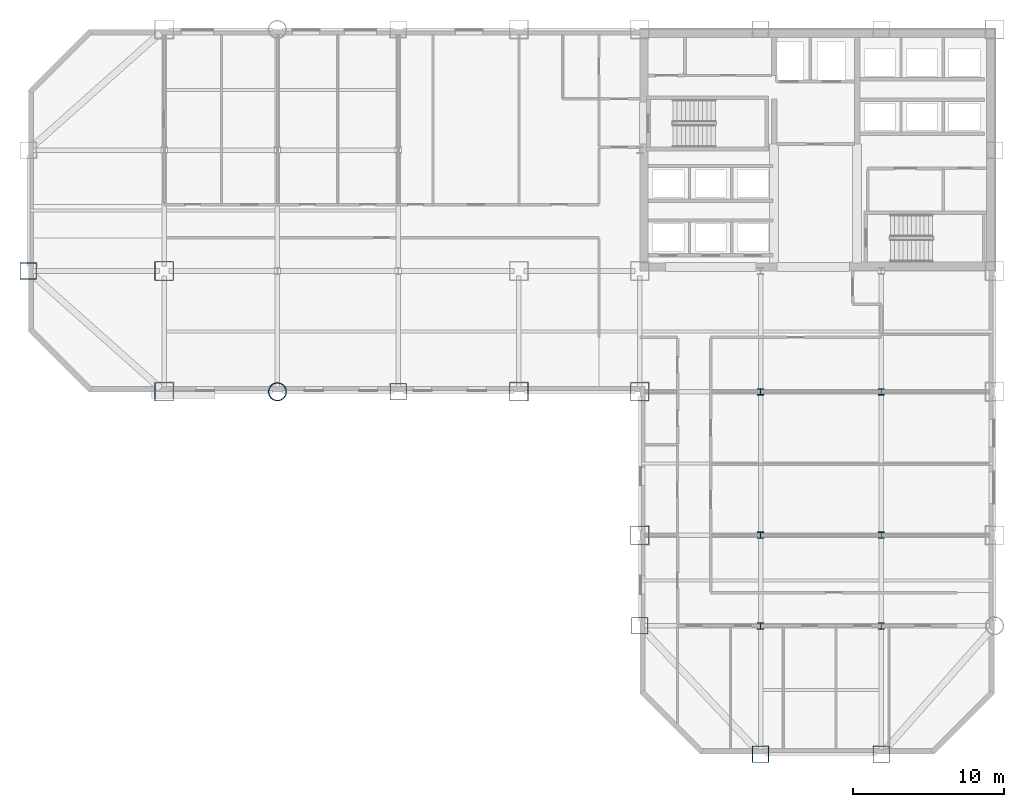
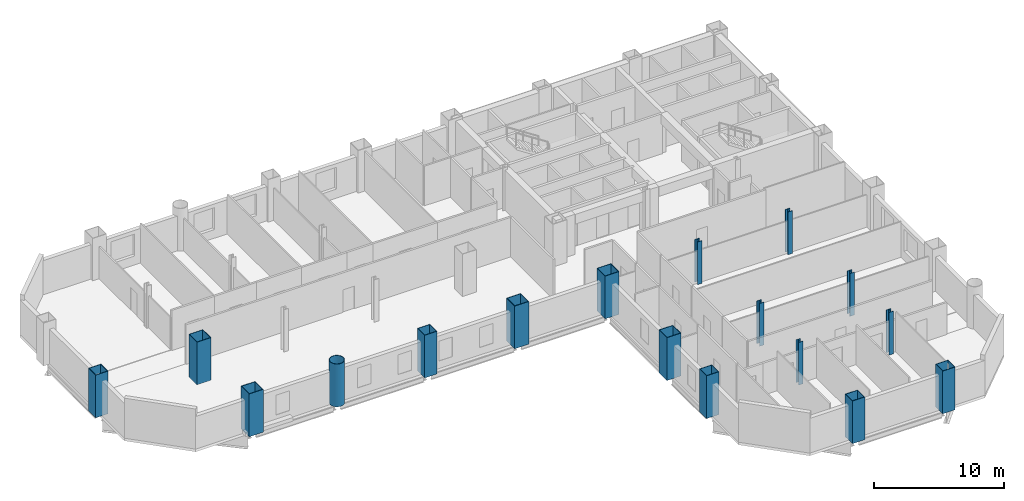
# One storey, part 1 of 9: 17 columns.
"""IFC4 building model written with IfcOpenShell, lengths in metres."""

import ifcopenshell
import ifcopenshell.guid

model = None  # the IFC model being written
_history = None  # IfcOwnerHistory: only IFC2X3 demands one
_inside = {}  # id of a spatial element -> (the spatial element, [elements in it])
_under = {}  # id of a project, library or spatial element -> (it, [spatial elements below it])
_declared = {}  # id of a project -> (the project, [libraries it declares])
_typed = {}  # id of a type object -> (the type object, [elements of that type])
_made_of = {}  # id of a material, layer set ... -> (it, [elements and type objects made of it])


def new_model(schema):
    """Start an empty IFC model of exactly this schema.

    Asked for "IFC4X3", IfcOpenShell would pick the latest addendum, in which some entities
    have other attributes; the version numbers below select the first issue.
    IFC2X3 requires an IfcOwnerHistory on every rooted entity: one is made here for all.
    """
    global model, _history
    if schema == "IFC4X3":
        model = ifcopenshell.file(schema_version=(4, 3, 0, 0))
    else:
        model = ifcopenshell.file(schema=schema)
    _inside.clear()
    _under.clear()
    _declared.clear()
    _typed.clear()
    _made_of.clear()
    _history = None
    if model.schema == "IFC2X3":
        org = make("IfcOrganization", Name="unknown")
        user = make(
            "IfcPersonAndOrganization",
            ThePerson=make("IfcPerson", FamilyName="unknown"),
            TheOrganization=org,
        )
        app = make(
            "IfcApplication",
            ApplicationDeveloper=org,
            Version="unknown",
            ApplicationFullName="unknown",
            ApplicationIdentifier="unknown",
        )
        _history = make(
            "IfcOwnerHistory",
            OwningUser=user,
            OwningApplication=app,
            ChangeAction="ADDED",
            CreationDate=0,
        )
    return model


def make(cls, **values):
    """One entity of the class cls with the attributes given. An attribute that is None is left unset."""
    return model.create_entity(
        cls, **{name: value for name, value in values.items() if value is not None}
    )


def rooted(cls, **values):
    """An entity with a GlobalId (a new one), such as an element, a storey or a relation."""
    return make(cls, GlobalId=ifcopenshell.guid.new(), OwnerHistory=_history, **values)


def si_unit(unit_type, name, prefix=None):
    """IfcSIUnit, for example si_unit("LENGTHUNIT", "METRE", prefix="MILLI")."""
    return make("IfcSIUnit", UnitType=unit_type, Prefix=prefix, Name=name)


def assignment(units):
    """IfcUnitAssignment: the units of a project."""
    return None if units is None else make("IfcUnitAssignment", Units=units)


def point(xyz):
    """IfcCartesianPoint."""
    return None if xyz is None else make("IfcCartesianPoint", Coordinates=xyz)


def direction(xyz):
    """IfcDirection."""
    return None if xyz is None else make("IfcDirection", DirectionRatios=xyz)


def frame(location, z_axis=None, x_axis=None):
    """IfcAxis2Placement3D, a coordinate frame: its origin and axes. An axis left out is left unset."""
    return make(
        "IfcAxis2Placement3D",
        Location=point(location),
        Axis=direction(z_axis),
        RefDirection=direction(x_axis),
    )


def frame_2d(location, x_axis=None):
    """IfcAxis2Placement2D, a coordinate frame in the plane: its origin and x axis."""
    return make(
        "IfcAxis2Placement2D", Location=point(location), RefDirection=direction(x_axis)
    )


def origin():
    """The frame at (0, 0, 0) with its axes left unset."""
    return frame((0.0, 0.0, 0.0))


def origin_2d():
    """The frame at (0, 0) in the plane with its x axis left unset."""
    return frame_2d((0.0, 0.0))


def place(relative_to, where):
    """IfcLocalPlacement: puts the frame where relative to a parent placement (None: the world)."""
    return make(
        "IfcLocalPlacement", PlacementRelTo=relative_to, RelativePlacement=where
    )


def context(
    kind, dimensions, precision=None, world=None, true_north=None, identifier=None
):
    """IfcGeometricRepresentationContext, for example the 3D "Model" context."""
    return make(
        "IfcGeometricRepresentationContext",
        ContextIdentifier=identifier,
        ContextType=kind,
        CoordinateSpaceDimension=dimensions,
        Precision=precision,
        WorldCoordinateSystem=world,
        TrueNorth=true_north,
    )


def subcontext(parent, identifier, kind, view, scale=None):
    """IfcGeometricRepresentationSubContext, for example "Body" below "Model"."""
    return make(
        "IfcGeometricRepresentationSubContext",
        ContextIdentifier=identifier,
        ContextType=kind,
        ParentContext=parent,
        TargetScale=scale,
        TargetView=view,
    )


def project(units=None, contexts=None):
    """IfcProject with its units and contexts."""
    return rooted(
        "IfcProject",
        Name="project",
        RepresentationContexts=contexts,
        UnitsInContext=assignment(units),
    )


def spatial(cls, under=None, at=None, **own):
    """A site, building, storey or space (cls), placed at a placement, below another one or the project."""
    s = rooted(cls, ObjectPlacement=at, **own)
    if under is not None:
        _under.setdefault(under.id(), (under, []))[1].append(s)
    return s


def profile(cls, at=None, kind="AREA", **sizes):
    """A parametric profile (cls). Its sizes go by their IFC names, for example OverallWidth=200.0."""
    return make(cls, ProfileType=kind, Position=at, **sizes)


def hollow_rectangle(**sizes):
    """IfcRectangleHollowProfileDef."""
    return profile("IfcRectangleHollowProfileDef", **sizes)


def hollow_circle(**sizes):
    """IfcCircleHollowProfileDef."""
    return profile("IfcCircleHollowProfileDef", **sizes)


def i_section(**sizes):
    """IfcIShapeProfileDef."""
    return profile("IfcIShapeProfileDef", **sizes)


def extrude(swept, where, along, depth):
    """IfcExtrudedAreaSolid: the profile swept, set in the frame where, extruded along a direction by depth."""
    return make(
        "IfcExtrudedAreaSolid",
        SweptArea=swept,
        Position=where,
        ExtrudedDirection=direction(along),
        Depth=depth,
    )


def shape(context_of_items, identifier, shape_type, items):
    """IfcShapeRepresentation: the items that make up one representation, for example the "Body"."""
    return make(
        "IfcShapeRepresentation",
        ContextOfItems=context_of_items,
        RepresentationIdentifier=identifier,
        RepresentationType=shape_type,
        Items=items,
    )


def material(Name=None, Category=None):
    """IfcMaterial."""
    return make("IfcMaterial", Name=Name, Category=Category)


def material_profile(
    of_material, cross_section, Name=None, Category=None, Priority=None
):
    """IfcMaterialProfile: a cross section and its material."""
    return make(
        "IfcMaterialProfile",
        Name=Name,
        Material=of_material,
        Profile=cross_section,
        Priority=Priority,
        Category=Category,
    )


def profile_set(profiles, Name=None, composite=None):
    """IfcMaterialProfileSet."""
    return make(
        "IfcMaterialProfileSet",
        Name=Name,
        MaterialProfiles=profiles,
        CompositeProfile=composite,
    )


def made_of(thing, what):
    """Note that an element or type object is made of a material, layer set ...; save() writes the relation."""
    if what is not None:
        _made_of.setdefault(what.id(), (what, []))[1].append(thing)
    return thing


def type_object(cls, material=None, **own):
    """A type object (cls), such as IfcWallType, which elements share."""
    return made_of(rooted(cls, **own), material)


def element(
    cls,
    number,
    at=None,
    inside=None,
    cuts=None,
    type_object=None,
    material=None,
    context=None,
    identifier="Body",
    shape_type=None,
    held_by="IfcProductDefinitionShape",
    body=None,
    shapes=None,
    **own,
):
    """One element of the class cls, such as IfcWall. Its Tag is "e" and its number.

    at: its placement. inside: the storey or other place that contains it. cuts: it is an
    opening in that element (IfcRelVoidsElement). A single representation is given by context,
    identifier, shape_type and body (its items); several are given by shapes. held_by: the class
    of the entity that holds the representations. save() writes the other relations.
    """
    e = rooted(cls, Tag="e%d" % number, ObjectPlacement=at, **own)
    if body is not None:
        shapes = [shape(context, identifier, shape_type, body)]
    if shapes is not None:
        e.Representation = make(held_by, Representations=shapes)
    if inside is not None:
        _inside.setdefault(inside.id(), (inside, []))[1].append(e)
    if cuts is not None:
        rooted(
            "IfcRelVoidsElement", RelatingBuildingElement=cuts, RelatedOpeningElement=e
        )
    if type_object is not None:
        _typed.setdefault(type_object.id(), (type_object, []))[1].append(e)
    return made_of(e, material)


def aggregate(whole, parts):
    """IfcRelAggregates: a whole, such as a stair, and the parts it consists of."""
    return rooted("IfcRelAggregates", RelatingObject=whole, RelatedObjects=parts)


def save(model, path):
    """Write the relations noted so far, then the file.

    IfcRelAggregates (storeys below a building ...), IfcRelContainedInSpatialStructure (elements
    in a storey), IfcRelDefinesByType, IfcRelAssociatesMaterial and IfcRelDeclares: one each for
    every whole, place, type object, material and project.
    """
    for whole, parts in _under.values():
        aggregate(whole, parts)
    for where, things in _inside.values():
        rooted(
            "IfcRelContainedInSpatialStructure",
            RelatedElements=things,
            RelatingStructure=where,
        )
    for kind, things in _typed.values():
        rooted("IfcRelDefinesByType", RelatedObjects=things, RelatingType=kind)
    for what, things in _made_of.values():
        rooted("IfcRelAssociatesMaterial", RelatedObjects=things, RelatingMaterial=what)
    for by, libraries in _declared.values():
        rooted("IfcRelDeclares", RelatingContext=by, RelatedDefinitions=libraries)
    model.write(path)


model = new_model("IFC4")

# Units and contexts
model_context = context("Model", 3, precision=1e-05, world=origin(), true_north=direction((0.0, 1.0)))
body_context = subcontext(model_context, "Body", "Model", "MODEL_VIEW")
ifc_project = project(units=[si_unit("LENGTHUNIT", "METRE"), si_unit("AREAUNIT", "SQUARE_METRE"), si_unit("VOLUMEUNIT", "CUBIC_METRE"), si_unit("PLANEANGLEUNIT", "RADIAN"), si_unit("MASSUNIT", "GRAM", prefix="KILO")], contexts=[model_context])

# Site, building, storey
site_placement = place(None, origin())
site = spatial("IfcSite", under=ifc_project, at=site_placement, CompositionType="ELEMENT")
building_placement = place(site_placement, origin())
building = spatial("IfcBuilding", under=site, at=building_placement, Name="Qianrong Seaharbour Tower", CompositionType="ELEMENT")
storey_placement = place(building_placement, frame((0.0, 0.0, 32.199951171875)))
storey = spatial("IfcBuildingStorey", under=building, at=storey_placement, Name="L07", CompositionType="ELEMENT", Elevation=32.199951171875)

# Columns
ifc_material = material(Name="Structural steel SN490B", Category="steel")
ifc_material_profile_1 = material_profile(ifc_material, hollow_rectangle(XDim=1.25, YDim=1.25, WallThickness=0.044921875, at=origin_2d()), Name="BOX1250x1250x45")
ifc_profile_set_1 = profile_set([ifc_material_profile_1], Name="Structural steel SN490B")
column_type_1 = type_object("IfcColumnType", Name="COL-CFT-1250", PredefinedType="COLUMN", material=ifc_profile_set_1)
for number, where, z_axis, x_axis, name in (
    (1, (9.0, 28.0, 0.0), (0.0, 0.0, 1.0), (1.0, 0.0, 0.0), "L07 Column MC-2 at G2/GE"),
    (2, (9.0, 36.0, 0.0), (0.0, 0.0, 1.0), (1.0, 0.0, 0.0), "L07 Column MC-2 at G2/GF"),
    (3, (32.5, 28.0, 0.0), (0.0, 0.0, 1.0), (1.0, 0.0, 0.0), "L07 Column MC-2 at G5/GE"),
    (4, (40.5, 18.5, 0.0), (0.0, 0.0, 1.0), (1.0, 0.0, 0.0), "L07 Column MC-2 at G6/GD"),
    (5, (40.5, 28.0, 0.0), (0.0, 0.0, 1.0), (1.0, 0.0, 0.0), "L07 Column MC-2 at G6/GE"),
):
    element("IfcColumn", number, at=place(storey_placement, frame(where, z_axis=z_axis, x_axis=x_axis)), inside=storey, type_object=column_type_1, Name=name, PredefinedType="COLUMN", context=body_context, shape_type="SweptSolid", body=[
        extrude(hollow_rectangle(XDim=1.25, YDim=1.25, WallThickness=0.044921875, at=origin_2d()), origin(), (0.0, 0.0, 1.0), 4.0),
    ])
ifc_material_profile_2 = material_profile(ifc_material, hollow_circle(Radius=0.60009765625, WallThickness=0.0400390625, at=origin_2d()), Name="CHS1200x40")
ifc_profile_set_2 = profile_set([ifc_material_profile_2], Name="Structural steel SN490B")
column_type_2 = type_object("IfcColumnType", Name="COL-CHS-1200", PredefinedType="COLUMN", material=ifc_profile_set_2)
column_placement = place(storey_placement, frame((16.5, 28.0, 0.0), z_axis=(0.0, 0.0, 1.0), x_axis=(1.0, 0.0, 0.0)))
element("IfcColumn", 6, at=column_placement, inside=storey, type_object=column_type_2, Name="L07 Column CC-1 at G3/GE", PredefinedType="COLUMN", context=body_context, shape_type="SweptSolid", body=[
    extrude(hollow_circle(Radius=0.60009765625, WallThickness=0.0400390625, at=origin_2d()), origin(), (0.0, 0.0, 1.0), 4.0),
])
ifc_material_profile_3 = material_profile(ifc_material, i_section(OverallWidth=0.406982421875, OverallDepth=0.427978515625, WebThickness=0.02001953125, FlangeThickness=0.034912109375, FilletRadius=0.02197265625, at=origin_2d()), Name="H428x407x20x35")
ifc_profile_set_3 = profile_set([ifc_material_profile_3], Name="Structural steel SN490B")
column_type_3 = type_object("IfcColumnType", Name="COL-INT-H428", PredefinedType="COLUMN", material=ifc_profile_set_3)
for number, where, z_axis, x_axis, name in (
    (7, (48.5, 12.5, 0.0), (0.0, 0.0, 1.0), (1.0, 0.0, 0.0), "L07 Column IC-2 at G7/GC"),
    (8, (48.5, 18.5, 0.0), (0.0, 0.0, 1.0), (1.0, 0.0, 0.0), "L07 Column IC-2 at G7/GD"),
    (9, (48.5, 28.0, 0.0), (0.0, 0.0, 1.0), (1.0, 0.0, 0.0), "L07 Column IC-2 at G7/GE"),
    (10, (56.5, 12.5, 0.0), (0.0, 0.0, 1.0), (1.0, 0.0, 0.0), "L07 Column IC-2 at G8/GC"),
    (11, (56.5, 18.5, 0.0), (0.0, 0.0, 1.0), (1.0, 0.0, 0.0), "L07 Column IC-2 at G8/GD"),
    (12, (56.5, 28.0, 0.0), (0.0, 0.0, 1.0), (1.0, 0.0, 0.0), "L07 Column IC-2 at G8/GE"),
):
    element("IfcColumn", number, at=place(storey_placement, frame(where, z_axis=z_axis, x_axis=x_axis)), inside=storey, type_object=column_type_3, Name=name, PredefinedType="COLUMN", context=body_context, shape_type="SweptSolid", body=[
        extrude(i_section(OverallWidth=0.406982421875, OverallDepth=0.427978515625, WebThickness=0.02001953125, FlangeThickness=0.034912109375, FilletRadius=0.02197265625, at=origin_2d()), origin(), (0.0, 0.0, 1.0), 4.0),
    ])
ifc_material_profile_4 = material_profile(ifc_material, hollow_rectangle(XDim=1.10009765625, YDim=1.10009765625, WallThickness=0.0400390625, at=origin_2d()), Name="BOX1100x1100x40")
ifc_profile_set_4 = profile_set([ifc_material_profile_4], Name="Structural steel SN490B")
column_type_4 = type_object("IfcColumnType", Name="COL-PER-1100", PredefinedType="COLUMN", material=ifc_profile_set_4)
for number, where, z_axis, x_axis, name in (
    (13, (0.0, 36.0, 0.0), (0.0, 0.0, 1.0), (1.0, 0.0, 0.0), "L07 Column PC-1 at G1/GF"),
    (14, (24.5, 28.0, 0.0), (0.0, 0.0, 1.0), (1.0, 0.0, 0.0), "L07 Column PC-1 at G4/GE"),
    (15, (40.5, 12.5, 0.0), (0.0, 0.0, 1.0), (1.0, 0.0, 0.0), "L07 Column PC-1 at G6/GC"),
    (16, (48.5, 4.0, 0.0), (0.0, 0.0, 1.0), (1.0, 0.0, 0.0), "L07 Column PC-1 at G7/GB"),
    (17, (56.5, 4.0, 0.0), (0.0, 0.0, 1.0), (1.0, 0.0, 0.0), "L07 Column PC-1 at G8/GB"),
):
    element("IfcColumn", number, at=place(storey_placement, frame(where, z_axis=z_axis, x_axis=x_axis)), inside=storey, type_object=column_type_4, Name=name, PredefinedType="COLUMN", context=body_context, shape_type="SweptSolid", body=[
        extrude(hollow_rectangle(XDim=1.10009765625, YDim=1.10009765625, WallThickness=0.0400390625, at=origin_2d()), origin(), (0.0, 0.0, 1.0), 4.0),
    ])

save(model, "model.ifc")
